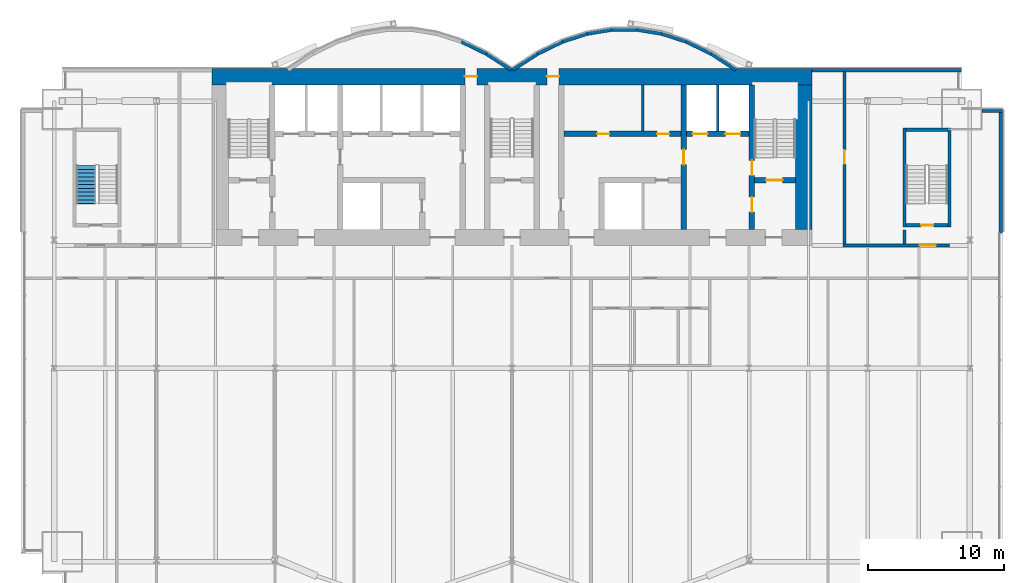
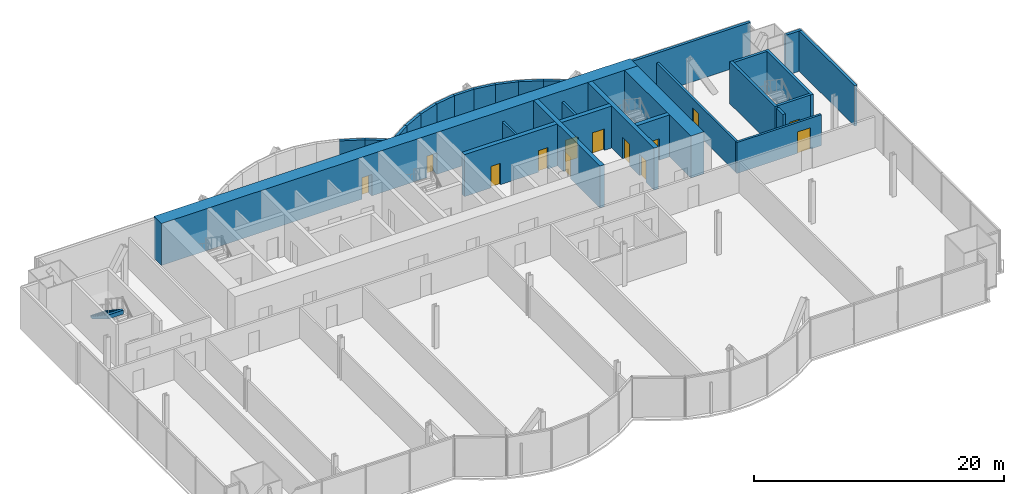
# One storey, part 17 of 21: 29 walls, 13 doors, 1 stair flight, 13 openings, 1 element without a shape of its own.
"""IFC4 building model written with IfcOpenShell, lengths in metres."""

from ifc_helpers import new_model, si_unit, direction, frame, frame_2d, origin, place, context, subcontext, project, spatial, polyline, rectangle, outline, extrude, material, layer, layer_set, layer_usage, type_object, element, fill, aggregate, save


model = new_model("IFC4")

# Units and contexts
model_context = context("Model", 3, precision=1e-05, world=origin(), true_north=direction((0.0, 1.0)))
body_context = subcontext(model_context, "Body", "Model", "MODEL_VIEW")
ifc_project = project(units=[si_unit("LENGTHUNIT", "METRE"), si_unit("AREAUNIT", "SQUARE_METRE"), si_unit("VOLUMEUNIT", "CUBIC_METRE"), si_unit("PLANEANGLEUNIT", "RADIAN"), si_unit("MASSUNIT", "GRAM", prefix="KILO")], contexts=[model_context])

# Site, building, storey
site_placement = place(None, origin())
site = spatial("IfcSite", under=ifc_project, at=site_placement, CompositionType="ELEMENT")
building_placement = place(site_placement, origin())
building = spatial("IfcBuilding", under=site, at=building_placement, Name="Bicima Exchange Tower", CompositionType="ELEMENT")
storey_placement = place(building_placement, frame((0.0, 0.0, 98.10009765625)))
storey = spatial("IfcBuildingStorey", under=building, at=storey_placement, Name="L20", CompositionType="ELEMENT", Elevation=98.10009765625)

# Wall
ifc_material_1 = material(Name="Gypsum board partition")
ifc_layer_1 = layer(ifc_material_1, 0.199951171875)
ifc_layer_set_1 = layer_set([ifc_layer_1], Name="Gypsum board partition")
wall_type_1 = type_object("IfcWallType", Name="Fire-rated gypsum partition 200 EI120", PredefinedType="PARTITIONING", material=ifc_layer_set_1)
wall_1_placement = place(storey_placement, frame((15.10009765625, -4.60009765625, 0.0), z_axis=(0.0, 0.0, 1.0), x_axis=(0.0, 1.0, 0.0)))
element("IfcWall", 1, at=wall_1_placement, inside=storey, type_object=wall_type_1, Name="partition wall 23", PredefinedType="PARTITIONING", context=body_context, shape_type="SweptSolid", body=[
    extrude(rectangle(XDim=3.400146484375, YDim=0.199951171875, at=frame_2d((1.7001953125, 0.0))), origin(), (0.0, 0.0, 1.0), 3.01806640625),
])

# Wall, opening, door
ifc_layer_2 = layer(ifc_material_1, 0.199951171875)
ifc_layer_set_2 = layer_set([ifc_layer_2], Name="Gypsum board partition")
wall_type_2 = type_object("IfcWallType", Name="Fire-rated gypsum partition 200 EI60", PredefinedType="PARTITIONING", material=ifc_layer_set_2)
wall_2_placement = place(storey_placement, frame((24.300048828125, -13.0, 0.0), z_axis=(0.0, 0.0, 1.0), x_axis=(1.0, 0.0, 0.0)))
wall_2 = element("IfcWall", 2, at=wall_2_placement, inside=storey, type_object=wall_type_2, Name="partition wall 5", PredefinedType="PARTITIONING", context=body_context, shape_type="SweptSolid", body=[
    extrude(rectangle(XDim=7.800048828125, YDim=0.199951171875, at=frame_2d((3.89990234375, 0.0))), origin(), (0.0, 0.0, 1.0), 3.01806640625),
])
opening_1_placement = place(wall_2_placement, frame((5.60009765625, 0.0, 0.0)))
opening_1 = element("IfcOpeningElement", 3, at=opening_1_placement, cuts=wall_2, Name="Opening L20-003", PredefinedType="OPENING", context=body_context, shape_type="SweptSolid", body=[
    extrude(rectangle(XDim=1.199951171875, YDim=2.10009765625, at=frame_2d((0.60009765625, 1.050048828125))), frame((0.0, 0.11181640625, 0.0), z_axis=(0.0, -1.0, 0.0), x_axis=(1.0, 0.0, 0.0)), (0.0, 0.0, 1.0), 0.223876953125),
])
ifc_material_2 = material(Name="Steel fire door leaf", Category="steel")
door_type_1 = type_object("IfcDoorType", Name="Door 1200 swing FD30S", OperationType="SINGLE_SWING_LEFT", PredefinedType="DOOR", material=ifc_material_2)
door_1_placement = place(opening_1_placement, origin())
door_1 = element("IfcDoor", 4, at=door_1_placement, inside=storey, type_object=door_type_1, Name="Door", OperationType="SINGLE_SWING_RIGHT", OverallHeight=2.10009765625, OverallWidth=1.199951171875, PredefinedType="DOOR", context=body_context, shape_type="SweptSolid", body=[
    extrude(rectangle(XDim=1.199951171875, YDim=2.10009765625, at=frame_2d((0.60009765625, 1.050048828125))), frame((0.0, 0.02490234375, 0.0), z_axis=(0.0, -1.0, 0.0), x_axis=(1.0, 0.0, 0.0)), (0.0, 0.0, 1.0), 0.050048828125),
])
fill(opening_1, door_1)

wall_3_placement = place(storey_placement, frame((24.39990234375, -12.89990234375, 0.0), z_axis=(0.0, 0.0, 1.0), x_axis=(0.0, 1.0, 0.0)))
wall_3 = element("IfcWall", 5, at=wall_3_placement, inside=storey, type_object=wall_type_2, Name="partition wall 27", PredefinedType="PARTITIONING", context=body_context, shape_type="SweptSolid", body=[
    extrude(rectangle(XDim=12.68994140625, YDim=0.199951171875, at=frame_2d((6.344970703125, 0.0))), origin(), (0.0, 0.0, 1.0), 3.01806640625),
])
opening_2_placement = place(wall_3_placement, frame((5.89990234375, 0.0, 0.0)))
opening_2 = element("IfcOpeningElement", 6, at=opening_2_placement, cuts=wall_3, Name="Opening L20-006", PredefinedType="OPENING", context=body_context, shape_type="SweptSolid", body=[
    extrude(rectangle(XDim=1.0, YDim=2.10009765625, at=frame_2d((0.5, 1.050048828125))), frame((0.0, 0.11181640625, 0.0), z_axis=(0.0, -1.0, 0.0), x_axis=(1.0, 0.0, 0.0)), (0.0, 0.0, 1.0), 0.223876953125),
])
door_type_2 = type_object("IfcDoorType", Name="Door 1000 swing FD30S", OperationType="SINGLE_SWING_LEFT", PredefinedType="DOOR", material=ifc_material_2)
door_2_placement = place(opening_2_placement, frame((1.0, 0.0, 0.0), z_axis=(0.0, 0.0, 1.0), x_axis=(-1.0, 0.0, 0.0)))
door_2 = element("IfcDoor", 7, at=door_2_placement, inside=storey, type_object=door_type_2, Name="Door", OperationType="SINGLE_SWING_RIGHT", OverallHeight=2.10009765625, OverallWidth=1.0, PredefinedType="DOOR", context=body_context, shape_type="SweptSolid", body=[
    extrude(rectangle(XDim=1.0, YDim=2.10009765625, at=frame_2d((0.5, 1.050048828125))), frame((0.0, 0.02490234375, 0.0), z_axis=(0.0, -1.0, 0.0), x_axis=(1.0, 0.0, 0.0)), (0.0, 0.0, 1.0), 0.050048828125),
])
fill(opening_2, door_2)

# Wall
wall_4_placement = place(storey_placement, frame((9.60009765625, -4.60009765625, 0.0), z_axis=(0.0, 0.0, 1.0), x_axis=(0.0, 1.0, 0.0)))
element("IfcWall", 8, at=wall_4_placement, inside=storey, type_object=wall_type_2, Name="partition wall 21", PredefinedType="PARTITIONING", context=body_context, shape_type="SweptSolid", body=[
    extrude(rectangle(XDim=3.400146484375, YDim=0.199951171875, at=frame_2d((1.7001953125, 0.0))), origin(), (0.0, 0.0, 1.0), 3.01806640625),
])

# Wall, openings, doors
ifc_material_3 = material(Name="Concrete C60/75", Category="concrete")
ifc_layer_3 = layer(ifc_material_3, 1.199951171875)
ifc_layer_set_3 = layer_set([ifc_layer_3], Name="Concrete C60/75")
wall_type_3 = type_object("IfcWallType", Name="RC core wall 1200 C60/75", PredefinedType="SHEAR", material=ifc_layer_set_3)
wall_5_placement = place(storey_placement, frame((-22.0, -0.60009765625, 0.0), z_axis=(0.0, 0.0, 1.0), x_axis=(1.0, 0.0, 0.0)))
wall_5 = element("IfcWall", 9, at=wall_5_placement, inside=storey, type_object=wall_type_3, Name="Core wall north", PredefinedType="SHEAR", context=body_context, shape_type="SweptSolid", body=[
    extrude(rectangle(XDim=44.0, YDim=1.199951171875, at=frame_2d((22.0, 0.0))), origin(), (0.0, 0.0, 1.0), 4.099853515625),
])
opening_3_placement = place(wall_5_placement, frame((18.550048828125, 0.0, 0.0)))
opening_3 = element("IfcOpeningElement", 10, at=opening_3_placement, cuts=wall_5, Name="Opening L20-C16", PredefinedType="OPENING", context=body_context, shape_type="SweptSolid", body=[
    extrude(rectangle(XDim=0.89990234375, YDim=2.10009765625, at=frame_2d((0.449951171875, 1.050048828125))), frame((0.0, 0.61181640625, 0.0), z_axis=(0.0, -1.0, 0.0), x_axis=(1.0, 0.0, 0.0)), (0.0, 0.0, 1.0), 1.223876953125),
])
opening_4_placement = place(wall_5_placement, frame((24.550048828125, 0.0, 0.0)))
opening_4 = element("IfcOpeningElement", 11, at=opening_4_placement, cuts=wall_5, Name="Opening L20-C17", PredefinedType="OPENING", context=body_context, shape_type="SweptSolid", body=[
    extrude(rectangle(XDim=0.89990234375, YDim=2.10009765625, at=frame_2d((0.449951171875, 1.050048828125))), frame((0.0, 0.61181640625, 0.0), z_axis=(0.0, -1.0, 0.0), x_axis=(1.0, 0.0, 0.0)), (0.0, 0.0, 1.0), 1.223876953125),
])
door_type_3 = type_object("IfcDoorType", Name="Door 900 swing FD30S", OperationType="SINGLE_SWING_LEFT", PredefinedType="DOOR", material=ifc_material_2)
door_3_placement = place(opening_3_placement, origin())
door_3 = element("IfcDoor", 12, at=door_3_placement, inside=storey, type_object=door_type_3, Name="Core door", OperationType="SINGLE_SWING_LEFT", OverallHeight=2.10009765625, OverallWidth=0.89990234375, PredefinedType="DOOR", context=body_context, shape_type="SweptSolid", body=[
    extrude(rectangle(XDim=0.89990234375, YDim=2.10009765625, at=frame_2d((0.449951171875, 1.050048828125))), frame((0.0, 0.02490234375, 0.0), z_axis=(0.0, -1.0, 0.0), x_axis=(1.0, 0.0, 0.0)), (0.0, 0.0, 1.0), 0.050048828125),
])
fill(opening_3, door_3)
door_4_placement = place(opening_4_placement, origin())
door_4 = element("IfcDoor", 13, at=door_4_placement, inside=storey, type_object=door_type_3, Name="Core door", OperationType="SINGLE_SWING_LEFT", OverallHeight=2.10009765625, OverallWidth=0.89990234375, PredefinedType="DOOR", context=body_context, shape_type="SweptSolid", body=[
    extrude(rectangle(XDim=0.89990234375, YDim=2.10009765625, at=frame_2d((0.449951171875, 1.050048828125))), frame((0.0, 0.02490234375, 0.0), z_axis=(0.0, -1.0, 0.0), x_axis=(1.0, 0.0, 0.0)), (0.0, 0.0, 1.0), 0.050048828125),
])
fill(opening_4, door_4)

# Walls
wall_6_placement = place(storey_placement, frame((21.39990234375, -11.800048828125, 0.0), z_axis=(0.0, 0.0, 1.0), x_axis=(0.0, 1.0, 0.0)))
element("IfcWall", 14, at=wall_6_placement, inside=storey, type_object=wall_type_3, Name="Core wall east", PredefinedType="SHEAR", context=body_context, shape_type="SweptSolid", body=[
    extrude(rectangle(XDim=10.60009765625, YDim=1.199951171875, at=frame_2d((5.300048828125, 0.0))), origin(), (0.0, 0.0, 1.0), 4.099853515625),
])
ifc_material_4 = material(Name="Concrete C50/60", Category="concrete")
ifc_layer_4 = layer(ifc_material_4, 0.25)
ifc_layer_set_4 = layer_set([ifc_layer_4], Name="Concrete C50/60")
wall_type_4 = type_object("IfcWallType", Name="RC core wall 250 C50/60", PredefinedType="SHEAR", material=ifc_layer_set_4)
wall_7_placement = place(storey_placement, frame((28.800048828125, -12.89990234375, 0.0), z_axis=(0.0, 0.0, 1.0), x_axis=(0.0, 1.0, 0.0)))
element("IfcWall", 15, at=wall_7_placement, inside=storey, type_object=wall_type_4, Name="stair wall 28", PredefinedType="SHEAR", context=body_context, shape_type="SweptSolid", body=[
    extrude(rectangle(XDim=1.0498046875, YDim=0.25, at=frame_2d((0.52490234375, 0.0))), origin(), (0.0, 0.0, 1.0), 4.099853515625),
])

# Wall, opening, door
ifc_layer_5 = layer(ifc_material_4, 0.39990234375)
ifc_layer_set_5 = layer_set([ifc_layer_5], Name="Concrete C50/60")
wall_type_5 = type_object("IfcWallType", Name="RC core wall 400 C50/60", PredefinedType="SHEAR", material=ifc_layer_set_5)
wall_8_placement = place(storey_placement, frame((17.800048828125, -8.199951171875, 0.0), z_axis=(0.0, 0.0, 1.0), x_axis=(1.0, 0.0, 0.0)))
wall_8 = element("IfcWall", 16, at=wall_8_placement, inside=storey, type_object=wall_type_5, Name="stair wall 5", PredefinedType="SHEAR", context=body_context, shape_type="SweptSolid", body=[
    extrude(rectangle(XDim=3.0, YDim=0.39990234375, at=frame_2d((1.5, 0.0))), origin(), (0.0, 0.0, 1.0), 4.099853515625),
])
opening_5_placement = place(wall_8_placement, frame((0.85009765625, 0.0, 0.0)))
opening_5 = element("IfcOpeningElement", 17, at=opening_5_placement, cuts=wall_8, Name="Opening L20-C04", PredefinedType="OPENING", context=body_context, shape_type="SweptSolid", body=[
    extrude(rectangle(XDim=1.199951171875, YDim=2.10009765625, at=frame_2d((0.60009765625, 1.050048828125))), frame((0.0, 0.2119140625, 0.0), z_axis=(0.0, -1.0, 0.0), x_axis=(1.0, 0.0, 0.0)), (0.0, 0.0, 1.0), 0.423828125),
])
door_type_4 = type_object("IfcDoorType", Name="Door 1200 swing FD60S", OperationType="SINGLE_SWING_LEFT", PredefinedType="DOOR", material=ifc_material_2)
door_5_placement = place(opening_5_placement, origin())
door_5 = element("IfcDoor", 18, at=door_5_placement, inside=storey, type_object=door_type_4, Name="Core door", OperationType="SINGLE_SWING_RIGHT", OverallHeight=2.10009765625, OverallWidth=1.199951171875, PredefinedType="DOOR", context=body_context, shape_type="SweptSolid", body=[
    extrude(rectangle(XDim=1.199951171875, YDim=2.10009765625, at=frame_2d((0.60009765625, 1.050048828125))), frame((0.0, 0.02490234375, 0.0), z_axis=(0.0, -1.0, 0.0), x_axis=(1.0, 0.0, 0.0)), (0.0, 0.0, 1.0), 0.050048828125),
])
fill(opening_5, door_5)

# Wall, openings, doors
wall_9_placement = place(storey_placement, frame((17.60009765625, -11.800048828125, 0.0), z_axis=(0.0, 0.0, 1.0), x_axis=(0.0, 1.0, 0.0)))
wall_9 = element("IfcWall", 19, at=wall_9_placement, inside=storey, type_object=wall_type_5, Name="stair wall 24", PredefinedType="SHEAR", context=body_context, shape_type="SweptSolid", body=[
    extrude(rectangle(XDim=10.60009765625, YDim=0.39990234375, at=frame_2d((5.300048828125, 0.0))), origin(), (0.0, 0.0, 1.0), 4.099853515625),
])
opening_6_placement = place(wall_9_placement, frame((1.25, 0.0, 0.0)))
opening_6 = element("IfcOpeningElement", 20, at=opening_6_placement, cuts=wall_9, Name="Opening L20-C05", PredefinedType="OPENING", context=body_context, shape_type="SweptSolid", body=[
    extrude(rectangle(XDim=1.10009765625, YDim=2.10009765625, at=frame_2d((0.550048828125, 1.050048828125))), frame((0.0, 0.2119140625, 0.0), z_axis=(0.0, -1.0, 0.0), x_axis=(1.0, 0.0, 0.0)), (0.0, 0.0, 1.0), 0.423828125),
])
opening_7_placement = place(wall_9_placement, frame((3.949951171875, 0.0, 0.0)))
opening_7 = element("IfcOpeningElement", 21, at=opening_7_placement, cuts=wall_9, Name="Opening L20-C08", PredefinedType="OPENING", context=body_context, shape_type="SweptSolid", body=[
    extrude(rectangle(XDim=1.10009765625, YDim=2.10009765625, at=frame_2d((0.550048828125, 1.050048828125))), frame((0.0, 0.2119140625, 0.0), z_axis=(0.0, -1.0, 0.0), x_axis=(1.0, 0.0, 0.0)), (0.0, 0.0, 1.0), 0.423828125),
])
door_type_5 = type_object("IfcDoorType", Name="Door 1100 swing FD60S", OperationType="SINGLE_SWING_LEFT", PredefinedType="DOOR", material=ifc_material_2)
door_6_placement = place(opening_6_placement, origin())
door_6 = element("IfcDoor", 22, at=door_6_placement, inside=storey, type_object=door_type_5, Name="Core door", OperationType="SINGLE_SWING_LEFT", OverallHeight=2.10009765625, OverallWidth=1.10009765625, PredefinedType="DOOR", context=body_context, shape_type="SweptSolid", body=[
    extrude(rectangle(XDim=1.10009765625, YDim=2.10009765625, at=frame_2d((0.550048828125, 1.050048828125))), frame((0.0, 0.02490234375, 0.0), z_axis=(0.0, -1.0, 0.0), x_axis=(1.0, 0.0, 0.0)), (0.0, 0.0, 1.0), 0.050048828125),
])
fill(opening_6, door_6)
door_7_placement = place(opening_7_placement, origin())
door_7 = element("IfcDoor", 23, at=door_7_placement, inside=storey, type_object=door_type_5, Name="Core door", OperationType="SINGLE_SWING_RIGHT", OverallHeight=2.10009765625, OverallWidth=1.10009765625, PredefinedType="DOOR", context=body_context, shape_type="SweptSolid", body=[
    extrude(rectangle(XDim=1.10009765625, YDim=2.10009765625, at=frame_2d((0.550048828125, 1.050048828125))), frame((0.0, 0.02490234375, 0.0), z_axis=(0.0, -1.0, 0.0), x_axis=(1.0, 0.0, 0.0)), (0.0, 0.0, 1.0), 0.050048828125),
])
fill(opening_7, door_7)

ifc_layer_6 = layer(ifc_material_3, 0.39990234375)
ifc_layer_set_6 = layer_set([ifc_layer_6], Name="Concrete C60/75")
wall_type_6 = type_object("IfcWallType", Name="RC core wall 400 C60/75", PredefinedType="SHEAR", material=ifc_layer_set_6)
wall_10_placement = place(storey_placement, frame((3.800048828125, -4.800048828125, 0.0), z_axis=(0.0, 0.0, 1.0), x_axis=(1.0, 0.0, 0.0)))
wall_10 = element("IfcWall", 24, at=wall_10_placement, inside=storey, type_object=wall_type_6, Name="shear wall 7", PredefinedType="SHEAR", context=body_context, shape_type="SweptSolid", body=[
    extrude(rectangle(XDim=13.599853515625, YDim=0.39990234375, at=frame_2d((6.7998046875, 0.0))), origin(), (0.0, 0.0, 1.0), 4.099853515625),
])
opening_8_placement = place(wall_10_placement, frame((9.449951171875, 0.0, 0.0)))
opening_8 = element("IfcOpeningElement", 25, at=opening_8_placement, cuts=wall_10, Name="Opening LD-FF2-L20", PredefinedType="OPENING", context=body_context, shape_type="SweptSolid", body=[
    extrude(rectangle(XDim=1.10009765625, YDim=2.10009765625, at=frame_2d((0.550048828125, 1.050048828125))), frame((0.0, 0.2119140625, 0.0), z_axis=(0.0, -1.0, 0.0), x_axis=(1.0, 0.0, 0.0)), (0.0, 0.0, 1.0), 0.423828125),
])
opening_9_placement = place(wall_10_placement, frame((11.85009765625, 0.0, 0.0)))
opening_9 = element("IfcOpeningElement", 26, at=opening_9_placement, cuts=wall_10, Name="Opening LD-SV1-L20", PredefinedType="OPENING", context=body_context, shape_type="SweptSolid", body=[
    extrude(rectangle(XDim=1.10009765625, YDim=2.10009765625, at=frame_2d((0.550048828125, 1.050048828125))), frame((0.0, 0.2119140625, 0.0), z_axis=(0.0, -1.0, 0.0), x_axis=(1.0, 0.0, 0.0)), (0.0, 0.0, 1.0), 0.423828125),
])
opening_10_placement = place(wall_10_placement, frame((2.449951171875, 0.0, 0.0)))
opening_10 = element("IfcOpeningElement", 27, at=opening_10_placement, cuts=wall_10, Name="Opening L20-C12", PredefinedType="OPENING", context=body_context, shape_type="SweptSolid", body=[
    extrude(rectangle(XDim=0.89990234375, YDim=2.10009765625, at=frame_2d((0.449951171875, 1.050048828125))), frame((0.0, 0.2119140625, 0.0), z_axis=(0.0, -1.0, 0.0), x_axis=(1.0, 0.0, 0.0)), (0.0, 0.0, 1.0), 0.423828125),
])
opening_11_placement = place(wall_10_placement, frame((6.85009765625, 0.0, 0.0)))
opening_11 = element("IfcOpeningElement", 28, at=opening_11_placement, cuts=wall_10, Name="Opening L20-C13", PredefinedType="OPENING", context=body_context, shape_type="SweptSolid", body=[
    extrude(rectangle(XDim=0.89990234375, YDim=2.10009765625, at=frame_2d((0.449951171875, 1.050048828125))), frame((0.0, 0.2119140625, 0.0), z_axis=(0.0, -1.0, 0.0), x_axis=(1.0, 0.0, 0.0)), (0.0, 0.0, 1.0), 0.423828125),
])
door_8_placement = place(opening_10_placement, origin())
door_8 = element("IfcDoor", 29, at=door_8_placement, inside=storey, type_object=door_type_3, Name="Core door", OperationType="SINGLE_SWING_RIGHT", OverallHeight=2.10009765625, OverallWidth=0.89990234375, PredefinedType="DOOR", context=body_context, shape_type="SweptSolid", body=[
    extrude(rectangle(XDim=0.89990234375, YDim=2.10009765625, at=frame_2d((0.449951171875, 1.050048828125))), frame((0.0, 0.02490234375, 0.0), z_axis=(0.0, -1.0, 0.0), x_axis=(1.0, 0.0, 0.0)), (0.0, 0.0, 1.0), 0.050048828125),
])
fill(opening_10, door_8)
door_9_placement = place(opening_11_placement, origin())
door_9 = element("IfcDoor", 30, at=door_9_placement, inside=storey, type_object=door_type_3, Name="Core door", OperationType="SINGLE_SWING_LEFT", OverallHeight=2.10009765625, OverallWidth=0.89990234375, PredefinedType="DOOR", context=body_context, shape_type="SweptSolid", body=[
    extrude(rectangle(XDim=0.89990234375, YDim=2.10009765625, at=frame_2d((0.449951171875, 1.050048828125))), frame((0.0, 0.02490234375, 0.0), z_axis=(0.0, -1.0, 0.0), x_axis=(1.0, 0.0, 0.0)), (0.0, 0.0, 1.0), 0.050048828125),
])
fill(opening_11, door_9)
ifc_material_5 = material(Name="Stainless steel", Category="steel")
door_type_6 = type_object("IfcDoorType", Name="Lift landing door 1100 sliding", OperationType="DOUBLE_DOOR_SLIDING", PredefinedType="DOOR", material=ifc_material_5)
door_10_placement = place(opening_8_placement, origin())
door_10 = element("IfcDoor", 31, at=door_10_placement, inside=storey, type_object=door_type_6, Name="Lift landing door FF2", OperationType="DOUBLE_DOOR_SLIDING", OverallHeight=2.10009765625, OverallWidth=1.10009765625, PredefinedType="DOOR", context=body_context, shape_type="SweptSolid", body=[
    extrude(rectangle(XDim=1.10009765625, YDim=2.10009765625, at=frame_2d((0.550048828125, 1.050048828125))), frame((0.0, 0.02490234375, 0.0), z_axis=(0.0, -1.0, 0.0), x_axis=(1.0, 0.0, 0.0)), (0.0, 0.0, 1.0), 0.050048828125),
])
fill(opening_8, door_10)
door_11_placement = place(opening_9_placement, origin())
door_11 = element("IfcDoor", 32, at=door_11_placement, inside=storey, type_object=door_type_6, Name="Lift landing door SV1", OperationType="DOUBLE_DOOR_SLIDING", OverallHeight=2.10009765625, OverallWidth=1.10009765625, PredefinedType="DOOR", context=body_context, shape_type="SweptSolid", body=[
    extrude(rectangle(XDim=1.10009765625, YDim=2.10009765625, at=frame_2d((0.550048828125, 1.050048828125))), frame((0.0, 0.02490234375, 0.0), z_axis=(0.0, -1.0, 0.0), x_axis=(1.0, 0.0, 0.0)), (0.0, 0.0, 1.0), 0.050048828125),
])
fill(opening_9, door_11)

# Wall, opening, door
wall_11_placement = place(storey_placement, frame((12.60009765625, -11.800048828125, 0.0), z_axis=(0.0, 0.0, 1.0), x_axis=(0.0, 1.0, 0.0)))
wall_11 = element("IfcWall", 33, at=wall_11_placement, inside=storey, type_object=wall_type_6, Name="shear wall 22", PredefinedType="SHEAR", context=body_context, shape_type="SweptSolid", body=[
    extrude(rectangle(XDim=10.60009765625, YDim=0.39990234375, at=frame_2d((5.300048828125, 0.0))), origin(), (0.0, 0.0, 1.0), 4.099853515625),
])
opening_12_placement = place(wall_11_placement, frame((4.75, 0.0, 0.0)))
opening_12 = element("IfcOpeningElement", 34, at=opening_12_placement, cuts=wall_11, Name="Opening L20-C09", PredefinedType="OPENING", context=body_context, shape_type="SweptSolid", body=[
    extrude(rectangle(XDim=1.10009765625, YDim=2.10009765625, at=frame_2d((0.550048828125, 1.050048828125))), frame((0.0, 0.2119140625, 0.0), z_axis=(0.0, -1.0, 0.0), x_axis=(1.0, 0.0, 0.0)), (0.0, 0.0, 1.0), 0.423828125),
])
door_12_placement = place(opening_12_placement, frame((1.10009765625, 0.0, 0.0), z_axis=(0.0, 0.0, 1.0), x_axis=(-1.0, 0.0, 0.0)))
door_12 = element("IfcDoor", 35, at=door_12_placement, inside=storey, type_object=door_type_5, Name="Core door", OperationType="SINGLE_SWING_RIGHT", OverallHeight=2.10009765625, OverallWidth=1.10009765625, PredefinedType="DOOR", context=body_context, shape_type="SweptSolid", body=[
    extrude(rectangle(XDim=1.10009765625, YDim=2.10009765625, at=frame_2d((0.550048828125, 1.050048828125))), frame((0.0, 0.02490234375, 0.0), z_axis=(0.0, -1.0, 0.0), x_axis=(1.0, 0.0, 0.0)), (0.0, 0.0, 1.0), 0.050048828125),
])
fill(opening_12, door_12)

# Walls
ifc_layer_7 = layer(ifc_material_4, 0.25)
ifc_layer_set_7 = layer_set([ifc_layer_7], Name="Concrete C50/60")
wall_type_7 = type_object("IfcWallType", Name="RC stair enclosure wall 250 C50/60", PredefinedType="SHEAR", material=ifc_layer_set_7)
for number, where, z_axis, x_axis, name in (
    (36, (28.800048828125, -11.625, 0.0), (0.0, 0.0, 1.0), (0.0, 1.0, 0.0), "East end exit stair wall W"),
    (37, (32.10009765625, -11.625, 0.0), (0.0, 0.0, 1.0), (0.0, 1.0, 0.0), "East end exit stair wall E"),
):
    element("IfcWall", number, at=place(storey_placement, frame(where, z_axis=z_axis, x_axis=x_axis)), inside=storey, type_object=wall_type_7, Name=name, PredefinedType="SHEAR", context=body_context, shape_type="SweptSolid", body=[
        extrude(rectangle(XDim=7.25, YDim=0.25, at=frame_2d((3.625, 0.0))), origin(), (0.0, 0.0, 1.0), 4.099853515625),
    ])

# Wall, opening, door
wall_12_placement = place(storey_placement, frame((28.925048828125, -11.5, 0.0), z_axis=(0.0, 0.0, 1.0), x_axis=(1.0, 0.0, 0.0)))
wall_12 = element("IfcWall", 38, at=wall_12_placement, inside=storey, type_object=wall_type_7, Name="East end exit stair wall S", PredefinedType="SHEAR", context=body_context, shape_type="SweptSolid", body=[
    extrude(rectangle(XDim=3.050048828125, YDim=0.25, at=frame_2d((1.52490234375, 0.0))), origin(), (0.0, 0.0, 1.0), 4.099853515625),
])
opening_13_placement = place(wall_12_placement, frame((1.10009765625, 0.0, 0.0)))
opening_13 = element("IfcOpeningElement", 39, at=opening_13_placement, cuts=wall_12, Name="Opening L20-004", PredefinedType="OPENING", context=body_context, shape_type="SweptSolid", body=[
    extrude(rectangle(XDim=0.89990234375, YDim=2.10009765625, at=frame_2d((0.449951171875, 1.050048828125))), frame((0.0, 0.136962890625, 0.0), z_axis=(0.0, -1.0, 0.0), x_axis=(1.0, 0.0, 0.0)), (0.0, 0.0, 1.0), 0.27392578125),
])
door_type_7 = type_object("IfcDoorType", Name="Door 900 swing FD60S", OperationType="SINGLE_SWING_LEFT", PredefinedType="DOOR", material=ifc_material_2)
door_13_placement = place(opening_13_placement, origin())
door_13 = element("IfcDoor", 40, at=door_13_placement, inside=storey, type_object=door_type_7, Name="Door", OperationType="SINGLE_SWING_LEFT", OverallHeight=2.10009765625, OverallWidth=0.89990234375, PredefinedType="DOOR", context=body_context, shape_type="SweptSolid", body=[
    extrude(rectangle(XDim=0.89990234375, YDim=2.10009765625, at=frame_2d((0.449951171875, 1.050048828125))), frame((0.0, 0.02490234375, 0.0), z_axis=(0.0, -1.0, 0.0), x_axis=(1.0, 0.0, 0.0)), (0.0, 0.0, 1.0), 0.050048828125),
])
fill(opening_13, door_13)

# Walls
wall_13_placement = place(storey_placement, frame((28.925048828125, -4.5, 0.0), z_axis=(0.0, 0.0, 1.0), x_axis=(1.0, 0.0, 0.0)))
element("IfcWall", 41, at=wall_13_placement, inside=storey, type_object=wall_type_7, Name="East end exit stair wall N", PredefinedType="SHEAR", context=body_context, shape_type="SweptSolid", body=[
    extrude(rectangle(XDim=3.050048828125, YDim=0.25, at=frame_2d((1.52490234375, 0.0))), origin(), (0.0, 0.0, 1.0), 4.099853515625),
])
ifc_material_6 = material(Name="Concrete C40/50", Category="concrete")
ifc_layer_8 = layer(ifc_material_6, 0.25)
ifc_layer_set_8 = layer_set([ifc_layer_8], Name="Concrete C40/50")
ifc_layer_usage = layer_usage(ifc_layer_set_8, "AXIS2", "POSITIVE", -0.125)
wall_type_8 = type_object("IfcWallType", Name="Rear backup wall 250", PredefinedType="STANDARD", material=ifc_layer_set_8)
wall_14_placement = place(storey_placement, frame((33.0, -0.125, 0.0), z_axis=(0.0, 0.0, 1.0), x_axis=(-1.0, 0.0, 0.0)))
element("IfcWall", 42, at=wall_14_placement, inside=storey, type_object=wall_type_8, material=ifc_layer_usage, Name="Rear backup wall L20 1", PredefinedType="STANDARD", context=body_context, shape_type="SweptSolid", body=[
    extrude(rectangle(XDim=11.0, YDim=0.25, at=frame_2d((5.5, 0.0))), origin(), (0.0, 0.0, 1.0), 3.949951171875),
])
wall_15_placement = place(storey_placement, frame((16.43212890625, -0.10498046875, 0.0), z_axis=(0.0, 0.0, 1.0), x_axis=(-0.83981312244, 0.542875602121, 0.0)))
element("IfcWall", 43, at=wall_15_placement, inside=storey, type_object=wall_type_8, material=ifc_layer_usage, Name="Rear backup wall L20 2", PredefinedType="STANDARD", context=body_context, shape_type="SweptSolid", body=[
    extrude(rectangle(XDim=2.182861328125, YDim=0.25, at=frame_2d((1.09130859375, 0.0))), origin(), (0.0, 0.0, 1.0), 3.949951171875),
])
wall_16_placement = place(storey_placement, frame((14.6123046875, 1.07275390625, 0.0), z_axis=(0.0, 0.0, 1.0), x_axis=(-0.89982408427, 0.436252928206, 0.0)))
element("IfcWall", 44, at=wall_16_placement, inside=storey, type_object=wall_type_8, material=ifc_layer_usage, Name="Rear backup wall L20 3", PredefinedType="STANDARD", context=body_context, shape_type="SweptSolid", body=[
    extrude(rectangle(XDim=2.03759765625, YDim=0.25, at=frame_2d((1.018798828125, 0.0))), origin(), (0.0, 0.0, 1.0), 3.949951171875),
])
wall_17_placement = place(storey_placement, frame((12.794921875, 1.955078125, 0.0), z_axis=(0.0, 0.0, 1.0), x_axis=(-0.951495806175, 0.307661714928, 0.0)))
element("IfcWall", 45, at=wall_17_placement, inside=storey, type_object=wall_type_8, material=ifc_layer_usage, Name="Rear backup wall L20 4", PredefinedType="STANDARD", context=body_context, shape_type="SweptSolid", body=[
    extrude(rectangle(XDim=1.9267578125, YDim=0.25, at=frame_2d((0.96337890625, 0.0))), origin(), (0.0, 0.0, 1.0), 3.949951171875),
])
wall_18_placement = place(storey_placement, frame((10.97998046875, 2.543212890625, 0.0), z_axis=(0.0, 0.0, 1.0), x_axis=(-0.987181718931, 0.159600293885, 0.0)))
element("IfcWall", 46, at=wall_18_placement, inside=storey, type_object=wall_type_8, material=ifc_layer_usage, Name="Rear backup wall L20 5", PredefinedType="STANDARD", context=body_context, shape_type="SweptSolid", body=[
    extrude(rectangle(XDim=1.857177734375, YDim=0.25, at=frame_2d((0.9287109375, 0.0))), origin(), (0.0, 0.0, 1.0), 3.949951171875),
])
wall_19_placement = place(storey_placement, frame((9.166748046875, 2.837890625, 0.0), z_axis=(0.0, 0.0, 1.0), x_axis=(-1.0, 0.0, 0.0)))
element("IfcWall", 47, at=wall_19_placement, inside=storey, type_object=wall_type_8, material=ifc_layer_usage, Name="Rear backup wall L20 6", PredefinedType="STANDARD", context=body_context, shape_type="SweptSolid", body=[
    extrude(rectangle(XDim=1.83349609375, YDim=0.25, at=frame_2d((0.916748046875, 0.0))), origin(), (0.0, 0.0, 1.0), 3.949951171875),
])
wall_20_placement = place(storey_placement, frame((7.353271484375, 2.839599609375, 0.0), z_axis=(0.0, 0.0, 1.0), x_axis=(-0.987181718931, -0.159600293885, 0.0)))
element("IfcWall", 48, at=wall_20_placement, inside=storey, type_object=wall_type_8, material=ifc_layer_usage, Name="Rear backup wall L20 7", PredefinedType="STANDARD", context=body_context, shape_type="SweptSolid", body=[
    extrude(rectangle(XDim=1.857177734375, YDim=0.25, at=frame_2d((0.9287109375, 0.0))), origin(), (0.0, 0.0, 1.0), 3.949951171875),
])
wall_21_placement = place(storey_placement, frame((5.538330078125, 2.5478515625, 0.0), z_axis=(0.0, 0.0, 1.0), x_axis=(-0.951495806175, -0.307661714928, 0.0)))
element("IfcWall", 49, at=wall_21_placement, inside=storey, type_object=wall_type_8, material=ifc_layer_usage, Name="Rear backup wall L20 8", PredefinedType="STANDARD", context=body_context, shape_type="SweptSolid", body=[
    extrude(rectangle(XDim=1.9267578125, YDim=0.25, at=frame_2d((0.96337890625, 0.0))), origin(), (0.0, 0.0, 1.0), 3.949951171875),
])
wall_22_placement = place(storey_placement, frame((3.72119140625, 1.961669921875, 0.0), z_axis=(0.0, 0.0, 1.0), x_axis=(-0.89982408427, -0.436252928206, 0.0)))
element("IfcWall", 50, at=wall_22_placement, inside=storey, type_object=wall_type_8, material=ifc_layer_usage, Name="Rear backup wall L20 9", PredefinedType="STANDARD", context=body_context, shape_type="SweptSolid", body=[
    extrude(rectangle(XDim=2.03759765625, YDim=0.25, at=frame_2d((1.018798828125, 0.0))), origin(), (0.0, 0.0, 1.0), 3.949951171875),
])
for number, where, z_axis, x_axis, name in (
    (51, (1.901123046875, 1.080078125, 0.0), (0.0, 0.0, 1.0), (-0.83981312244, -0.542875602121, 0.0), "Rear backup wall L20 10"),
    (52, (-0.06787109375, -0.10498046875, 0.0), (0.0, 0.0, 1.0), (-0.83981312244, 0.542875602121, 0.0), "Rear backup wall L20 11"),
):
    element("IfcWall", number, at=place(storey_placement, frame(where, z_axis=z_axis, x_axis=x_axis)), inside=storey, type_object=wall_type_8, material=ifc_layer_usage, Name=name, PredefinedType="STANDARD", context=body_context, shape_type="SweptSolid", body=[
        extrude(rectangle(XDim=2.182861328125, YDim=0.25, at=frame_2d((1.09130859375, 0.0))), origin(), (0.0, 0.0, 1.0), 3.949951171875),
    ])
wall_23_placement = place(storey_placement, frame((-1.8876953125, 1.07275390625, 0.0), z_axis=(0.0, 0.0, 1.0), x_axis=(-0.89982408427, 0.436252928206, 0.0)))
element("IfcWall", 53, at=wall_23_placement, inside=storey, type_object=wall_type_8, material=ifc_layer_usage, Name="Rear backup wall L20 12", PredefinedType="STANDARD", context=body_context, shape_type="SweptSolid", body=[
    extrude(rectangle(XDim=2.03759765625, YDim=0.25, at=frame_2d((1.018798828125, 0.0))), origin(), (0.0, 0.0, 1.0), 3.949951171875),
])
wall_24_placement = place(storey_placement, frame((35.875, -12.090087890625, 0.0), z_axis=(0.0, 0.0, 1.0), x_axis=(0.0, 1.0, 0.0)))
element("IfcWall", 54, at=wall_24_placement, inside=storey, type_object=wall_type_8, material=ifc_layer_usage, Name="Rear backup wall L20 50", PredefinedType="STANDARD", context=body_context, shape_type="SweptSolid", body=[
    extrude(rectangle(XDim=9.090087890625, YDim=0.25, at=frame_2d((4.544921875, 0.0))), origin(), (0.0, 0.0, 1.0), 3.949951171875),
])
wall_25_placement = place(storey_placement, frame((36.0, -3.125, 0.0), z_axis=(0.0, 0.0, 1.0), x_axis=(-1.0, 0.0, 0.0)))
element("IfcWall", 55, at=wall_25_placement, inside=storey, type_object=wall_type_8, material=ifc_layer_usage, Name="Rear backup wall L20 51", PredefinedType="STANDARD", context=body_context, shape_type="SweptSolid", body=[
    extrude(rectangle(XDim=1.5, YDim=0.25, at=frame_2d((0.75, 0.0))), origin(), (0.0, 0.0, 1.0), 3.949951171875),
])

# Stair, stair flight
stair_type = type_object("IfcStairType", Name="Exit stair", PredefinedType="HALF_TURN_STAIR", material=ifc_material_4)
stair_placement = place(storey_placement, origin())
stair = element("IfcStair", 56, at=stair_placement, inside=storey, type_object=stair_type, Name="L20 West end exit stair", PredefinedType="HALF_TURN_STAIR")
stair_flight_type = type_object("IfcStairFlightType", Name="Stair flight RC", PredefinedType="STRAIGHT", material=ifc_material_4)
stair_flight_placement = place(storey_placement, frame((-31.25, -7.125, 2.0498046875), z_axis=(0.0, 0.0, 1.0), x_axis=(0.0, -1.0, 0.0)))
stair_flight = element("IfcStairFlight", 57, at=stair_flight_placement, type_object=stair_flight_type, Name="ST-WW flight 2", NumberOfRisers=11, NumberOfTreads=10, PredefinedType="STRAIGHT", RiserHeight=0.186363636, TreadLength=0.28, context=body_context, shape_type="SweptSolid", body=[
    extrude(outline(polyline([(0.0, 0.0), (0.0, 0.186279296875), (0.280029296875, 0.186279296875), (0.280029296875, 0.372802734375), (0.56005859375, 0.372802734375), (0.56005859375, 0.55908203125), (0.840087890625, 0.55908203125), (0.840087890625, 0.745361328125), (1.1201171875, 0.745361328125), (1.1201171875, 0.931884765625), (1.39990234375, 0.931884765625), (1.39990234375, 1.1181640625), (1.679931640625, 1.1181640625), (1.679931640625, 1.304443359375), (1.9599609375, 1.304443359375), (1.9599609375, 1.490966796875), (2.239990234375, 1.490966796875), (2.239990234375, 1.67724609375), (2.52001953125, 1.67724609375), (2.52001953125, 1.863525390625), (2.800048828125, 1.863525390625), (2.800048828125, 1.904052734375), (2.81494140625, 1.904052734375), (2.81494140625, 1.507080078125), (0.2705078125, 0.0), (0.0, 0.0)])), frame((0.0, 0.72509765625, 0.0), z_axis=(0.0, -1.0, 0.0), x_axis=(1.0, 0.0, 0.0)), (0.0, 0.0, 1.0), 1.449951171875),
])
aggregate(stair, [stair_flight])

save(model, "model.ifc")
